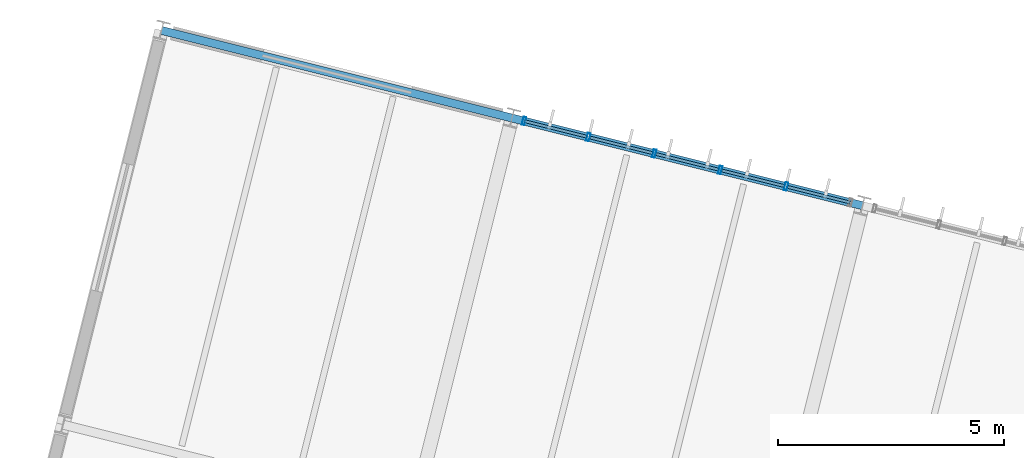
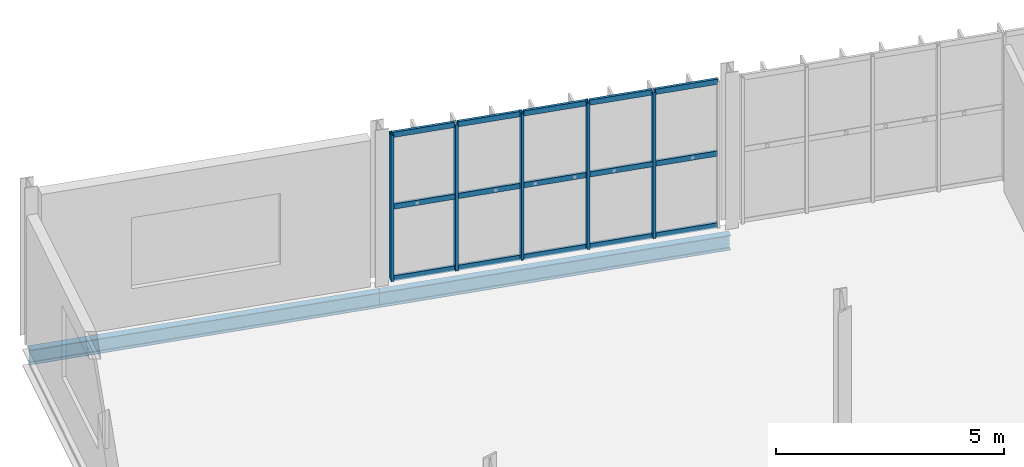
# One storey, part 29 of 61: 20 members, 2 beams, 1 element without a shape of its own.
"""IFC4 building model written with IfcOpenShell, lengths in metres."""

from ifc_helpers import new_model, si_unit, derived_unit, direction, frame, origin, origin_2d, place, context, subcontext, project, spatial, hollow_rectangle, i_section, extrude, material, material_profile, profile_set, type_object, element, aggregate, save


model = new_model("IFC4")

# Units and contexts
model_context = context("Model", 3, precision=1e-05, world=origin(), true_north=direction((0.0, 1.0)))
body_context = subcontext(model_context, "Body", "Model", "MODEL_VIEW")
ifc_project = project(units=[si_unit("LENGTHUNIT", "METRE"), si_unit("AREAUNIT", "SQUARE_METRE"), si_unit("VOLUMEUNIT", "CUBIC_METRE"), si_unit("PLANEANGLEUNIT", "RADIAN"), si_unit("MASSUNIT", "GRAM", prefix="KILO"), si_unit("THERMODYNAMICTEMPERATUREUNIT", "KELVIN"), si_unit("TIMEUNIT", "SECOND"), derived_unit("THERMALTRANSMITTANCEUNIT", [(si_unit("MASSUNIT", "GRAM", prefix="KILO"), 1), (si_unit("THERMODYNAMICTEMPERATUREUNIT", "KELVIN"), -1), (si_unit("TIMEUNIT", "SECOND"), -3)])], contexts=[model_context])

# Site, building, storey
site_placement = place(None, origin())
site = spatial("IfcSite", under=ifc_project, at=site_placement, CompositionType="ELEMENT")
building_placement = place(site_placement, origin())
building = spatial("IfcBuilding", under=site, at=building_placement, Name="Cambertide Market Hall", CompositionType="ELEMENT")
storey_placement = place(building_placement, frame((0.0, 0.0, 9.89990234375)))
storey = spatial("IfcBuildingStorey", under=building, at=storey_placement, Name="L03", CompositionType="ELEMENT", Elevation=9.89990234375)

# Curtain wall, members
ifc_material_1 = material(Name="Marine Anodized Aluminium 6063-T6 AA25", Category="aluminium")
curtain_wall_type = type_object("IfcCurtainWallType", Name="Cooking School Classroom Curtain Wall", PredefinedType="USERDEFINED", material=ifc_material_1)
curtain_wall_placement = place(storey_placement, origin())
curtain_wall = element("IfcCurtainWall", 1, at=curtain_wall_placement, inside=storey, type_object=curtain_wall_type, Name="Level 3 Curtain Wall CW-V4N-L03-2", ObjectType="UNITIZED CURTAIN WALL", PredefinedType="USERDEFINED")
ifc_material_2 = material(Name="Champagne Marine Anodized Aluminium 6063-T6 AA25", Category="aluminium")
ifc_material_profile_1 = material_profile(ifc_material_2, hollow_rectangle(XDim=0.06494140625, YDim=0.179931640625, WallThickness=0.00390625, at=origin_2d()), Name="ALU MULLION 65x180")
ifc_profile_set_1 = profile_set([ifc_material_profile_1], Name="Champagne Marine Anodized Aluminium 6063-T6 AA25")
member_type_1 = type_object("IfcMemberType", Name="Curtain Wall Mullion ALU MULLION 65x180", PredefinedType="MULLION", material=ifc_profile_set_1)
member_1_placement = place(storey_placement, frame((122.576416015625, 124.186767578125, 0.0), z_axis=(0.0, 0.0, 1.0), x_axis=(0.970142500145, -0.242535625038, 0.0)))
member_1 = element("IfcMember", 2, at=member_1_placement, type_object=member_type_1, Name="CW-V4N-L03-2 Mullion 1", PredefinedType="MULLION", context=body_context, shape_type="SweptSolid", body=[
    extrude(hollow_rectangle(XDim=0.06494140625, YDim=0.179931640625, WallThickness=0.00390625, at=origin_2d()), origin(), (0.0, 0.0, 1.0), 3.920166015625),
])
member_2_placement = place(storey_placement, frame((124.00146484375, 123.83056640625, 0.0), z_axis=(0.0, 0.0, 1.0), x_axis=(0.970142500145, -0.242535625038, 0.0)))
member_2 = element("IfcMember", 3, at=member_2_placement, type_object=member_type_1, Name="CW-V4N-L03-2 Mullion 2", PredefinedType="MULLION", context=body_context, shape_type="SweptSolid", body=[
    extrude(hollow_rectangle(XDim=0.06494140625, YDim=0.179931640625, WallThickness=0.00390625, at=origin_2d()), origin(), (0.0, 0.0, 1.0), 3.920166015625),
])
member_3_placement = place(storey_placement, frame((125.460693359375, 123.4658203125, 0.0), z_axis=(0.0, 0.0, 1.0), x_axis=(0.970142500145, -0.242535625038, 0.0)))
member_3 = element("IfcMember", 4, at=member_3_placement, type_object=member_type_1, Name="CW-V4N-L03-2 Mullion 3", PredefinedType="MULLION", context=body_context, shape_type="SweptSolid", body=[
    extrude(hollow_rectangle(XDim=0.06494140625, YDim=0.179931640625, WallThickness=0.00390625, at=origin_2d()), origin(), (0.0, 0.0, 1.0), 3.920166015625),
])
member_4_placement = place(storey_placement, frame((126.919677734375, 123.10107421875, 0.0), z_axis=(0.0, 0.0, 1.0), x_axis=(0.970142500145, -0.242535625038, 0.0)))
member_4 = element("IfcMember", 5, at=member_4_placement, type_object=member_type_1, Name="CW-V4N-L03-2 Mullion 4", PredefinedType="MULLION", context=body_context, shape_type="SweptSolid", body=[
    extrude(hollow_rectangle(XDim=0.06494140625, YDim=0.179931640625, WallThickness=0.00390625, at=origin_2d()), origin(), (0.0, 0.0, 1.0), 3.920166015625),
])
member_5_placement = place(storey_placement, frame((128.37890625, 122.736328125, 0.0), z_axis=(0.0, 0.0, 1.0), x_axis=(0.970142500145, -0.242535625038, 0.0)))
member_5 = element("IfcMember", 6, at=member_5_placement, type_object=member_type_1, Name="CW-V4N-L03-2 Mullion 5", PredefinedType="MULLION", context=body_context, shape_type="SweptSolid", body=[
    extrude(hollow_rectangle(XDim=0.06494140625, YDim=0.179931640625, WallThickness=0.00390625, at=origin_2d()), origin(), (0.0, 0.0, 1.0), 3.920166015625),
])
ifc_material_3 = material(Name="Champagne Marine Anodized Aluminium 6063-T6 AA25", Category="aluminium")
ifc_material_profile_2 = material_profile(ifc_material_3, hollow_rectangle(XDim=0.06494140625, YDim=0.139892578125, WallThickness=0.00341796875, at=origin_2d()), Name="ALU TRANSOM 65x140")
ifc_profile_set_2 = profile_set([ifc_material_profile_2], Name="Champagne Marine Anodized Aluminium 6063-T6 AA25")
member_type_2 = type_object("IfcMemberType", Name="Curtain Wall Transom ALU TRANSOM 65x140", PredefinedType="USERDEFINED", material=ifc_profile_set_2)
member_6_placement = place(storey_placement, frame((122.581298828125, 124.185546875, 0.03515625), z_axis=(0.970162669427, -0.242454933646, 0.0), x_axis=(0.242454933646, 0.970162669427, 0.0)))
member_6 = element("IfcMember", 7, at=member_6_placement, type_object=member_type_2, Name="CW-V4N-L03-2 Transom 1-1", ObjectType="TRANSOM", PredefinedType="USERDEFINED", context=body_context, shape_type="SweptSolid", body=[
    extrude(hollow_rectangle(XDim=0.06494140625, YDim=0.139892578125, WallThickness=0.00341796875, at=origin_2d()), origin(), (0.0, 0.0, 1.0), 1.423828125),
])
member_7_placement = place(storey_placement, frame((124.040283203125, 123.82080078125, 0.03515625), z_axis=(0.970172746521, -0.242414607454, 0.0), x_axis=(0.242414607454, 0.970172746521, 0.0)))
member_7 = element("IfcMember", 8, at=member_7_placement, type_object=member_type_2, Name="CW-V4N-L03-2 Transom 1-2", ObjectType="TRANSOM", PredefinedType="USERDEFINED", context=body_context, shape_type="SweptSolid", body=[
    extrude(hollow_rectangle(XDim=0.06494140625, YDim=0.139892578125, WallThickness=0.00341796875, at=origin_2d()), origin(), (0.0, 0.0, 1.0), 1.424072265625),
])
member_8_placement = place(storey_placement, frame((125.49951171875, 123.4560546875, 0.03515625), z_axis=(0.970162669427, -0.242454933646, 0.0), x_axis=(0.242454933646, 0.970162669427, 0.0)))
member_8 = element("IfcMember", 9, at=member_8_placement, type_object=member_type_2, Name="CW-V4N-L03-2 Transom 1-3", ObjectType="TRANSOM", PredefinedType="USERDEFINED", context=body_context, shape_type="SweptSolid", body=[
    extrude(hollow_rectangle(XDim=0.06494140625, YDim=0.139892578125, WallThickness=0.00341796875, at=origin_2d()), origin(), (0.0, 0.0, 1.0), 1.423828125),
])
member_9_placement = place(storey_placement, frame((126.95849609375, 123.09130859375, 0.03515625), z_axis=(0.970132415085, -0.242575961715, 0.0), x_axis=(0.242575961715, 0.970132415085, 0.0)))
member_9 = element("IfcMember", 10, at=member_9_placement, type_object=member_type_2, Name="CW-V4N-L03-2 Transom 1-4", ObjectType="TRANSOM", PredefinedType="USERDEFINED", context=body_context, shape_type="SweptSolid", body=[
    extrude(hollow_rectangle(XDim=0.06494140625, YDim=0.139892578125, WallThickness=0.00341796875, at=origin_2d()), origin(), (0.0, 0.0, 1.0), 1.424072265625),
])
member_10_placement = place(storey_placement, frame((128.417724609375, 122.7265625, 0.03515625), z_axis=(0.970122324991, -0.242616311393, 0.0), x_axis=(0.242616311393, 0.970122324991, 0.0)))
member_10 = element("IfcMember", 11, at=member_10_placement, type_object=member_type_2, Name="CW-V4N-L03-2 Transom 1-5", ObjectType="TRANSOM", PredefinedType="USERDEFINED", context=body_context, shape_type="SweptSolid", body=[
    extrude(hollow_rectangle(XDim=0.06494140625, YDim=0.139892578125, WallThickness=0.00341796875, at=origin_2d()), origin(), (0.0, 0.0, 1.0), 1.423828125),
])
member_11_placement = place(storey_placement, frame((122.581298828125, 124.185546875, 1.960205078125), z_axis=(0.970162669427, -0.242454933646, 0.0), x_axis=(0.242454933646, 0.970162669427, 0.0)))
member_11 = element("IfcMember", 12, at=member_11_placement, type_object=member_type_2, Name="CW-V4N-L03-2 Transom 2-1", ObjectType="TRANSOM", PredefinedType="USERDEFINED", context=body_context, shape_type="SweptSolid", body=[
    extrude(hollow_rectangle(XDim=0.06494140625, YDim=0.139892578125, WallThickness=0.00341796875, at=origin_2d()), origin(), (0.0, 0.0, 1.0), 1.423828125),
])
member_12_placement = place(storey_placement, frame((124.040283203125, 123.82080078125, 1.960205078125), z_axis=(0.970172746521, -0.242414607454, 0.0), x_axis=(0.242414607454, 0.970172746521, 0.0)))
member_12 = element("IfcMember", 13, at=member_12_placement, type_object=member_type_2, Name="CW-V4N-L03-2 Transom 2-2", ObjectType="TRANSOM", PredefinedType="USERDEFINED", context=body_context, shape_type="SweptSolid", body=[
    extrude(hollow_rectangle(XDim=0.06494140625, YDim=0.139892578125, WallThickness=0.00341796875, at=origin_2d()), origin(), (0.0, 0.0, 1.0), 1.424072265625),
])
member_13_placement = place(storey_placement, frame((125.49951171875, 123.4560546875, 1.960205078125), z_axis=(0.970162669427, -0.242454933646, 0.0), x_axis=(0.242454933646, 0.970162669427, 0.0)))
member_13 = element("IfcMember", 14, at=member_13_placement, type_object=member_type_2, Name="CW-V4N-L03-2 Transom 2-3", ObjectType="TRANSOM", PredefinedType="USERDEFINED", context=body_context, shape_type="SweptSolid", body=[
    extrude(hollow_rectangle(XDim=0.06494140625, YDim=0.139892578125, WallThickness=0.00341796875, at=origin_2d()), origin(), (0.0, 0.0, 1.0), 1.423828125),
])
member_14_placement = place(storey_placement, frame((126.95849609375, 123.09130859375, 1.960205078125), z_axis=(0.970132415085, -0.242575961715, 0.0), x_axis=(0.242575961715, 0.970132415085, 0.0)))
member_14 = element("IfcMember", 15, at=member_14_placement, type_object=member_type_2, Name="CW-V4N-L03-2 Transom 2-4", ObjectType="TRANSOM", PredefinedType="USERDEFINED", context=body_context, shape_type="SweptSolid", body=[
    extrude(hollow_rectangle(XDim=0.06494140625, YDim=0.139892578125, WallThickness=0.00341796875, at=origin_2d()), origin(), (0.0, 0.0, 1.0), 1.424072265625),
])
member_15_placement = place(storey_placement, frame((128.417724609375, 122.7265625, 1.960205078125), z_axis=(0.970122324991, -0.242616311393, 0.0), x_axis=(0.242616311393, 0.970122324991, 0.0)))
member_15 = element("IfcMember", 16, at=member_15_placement, type_object=member_type_2, Name="CW-V4N-L03-2 Transom 2-5", ObjectType="TRANSOM", PredefinedType="USERDEFINED", context=body_context, shape_type="SweptSolid", body=[
    extrude(hollow_rectangle(XDim=0.06494140625, YDim=0.139892578125, WallThickness=0.00341796875, at=origin_2d()), origin(), (0.0, 0.0, 1.0), 1.423828125),
])
member_16_placement = place(storey_placement, frame((122.581298828125, 124.185546875, 3.885009765625), z_axis=(0.970162669427, -0.242454933646, 0.0), x_axis=(0.242454933646, 0.970162669427, 0.0)))
member_16 = element("IfcMember", 17, at=member_16_placement, type_object=member_type_2, Name="CW-V4N-L03-2 Transom 3-1", ObjectType="TRANSOM", PredefinedType="USERDEFINED", context=body_context, shape_type="SweptSolid", body=[
    extrude(hollow_rectangle(XDim=0.06494140625, YDim=0.139892578125, WallThickness=0.00341796875, at=origin_2d()), origin(), (0.0, 0.0, 1.0), 1.423828125),
])
member_17_placement = place(storey_placement, frame((124.040283203125, 123.82080078125, 3.885009765625), z_axis=(0.970172746521, -0.242414607454, 0.0), x_axis=(0.242414607454, 0.970172746521, 0.0)))
member_17 = element("IfcMember", 18, at=member_17_placement, type_object=member_type_2, Name="CW-V4N-L03-2 Transom 3-2", ObjectType="TRANSOM", PredefinedType="USERDEFINED", context=body_context, shape_type="SweptSolid", body=[
    extrude(hollow_rectangle(XDim=0.06494140625, YDim=0.139892578125, WallThickness=0.00341796875, at=origin_2d()), origin(), (0.0, 0.0, 1.0), 1.424072265625),
])
member_18_placement = place(storey_placement, frame((125.49951171875, 123.4560546875, 3.885009765625), z_axis=(0.970162669427, -0.242454933646, 0.0), x_axis=(0.242454933646, 0.970162669427, 0.0)))
member_18 = element("IfcMember", 19, at=member_18_placement, type_object=member_type_2, Name="CW-V4N-L03-2 Transom 3-3", ObjectType="TRANSOM", PredefinedType="USERDEFINED", context=body_context, shape_type="SweptSolid", body=[
    extrude(hollow_rectangle(XDim=0.06494140625, YDim=0.139892578125, WallThickness=0.00341796875, at=origin_2d()), origin(), (0.0, 0.0, 1.0), 1.423828125),
])
member_19_placement = place(storey_placement, frame((126.95849609375, 123.09130859375, 3.885009765625), z_axis=(0.970132415085, -0.242575961715, 0.0), x_axis=(0.242575961715, 0.970132415085, 0.0)))
member_19 = element("IfcMember", 20, at=member_19_placement, type_object=member_type_2, Name="CW-V4N-L03-2 Transom 3-4", ObjectType="TRANSOM", PredefinedType="USERDEFINED", context=body_context, shape_type="SweptSolid", body=[
    extrude(hollow_rectangle(XDim=0.06494140625, YDim=0.139892578125, WallThickness=0.00341796875, at=origin_2d()), origin(), (0.0, 0.0, 1.0), 1.424072265625),
])
member_20_placement = place(storey_placement, frame((128.417724609375, 122.7265625, 3.885009765625), z_axis=(0.970122324991, -0.242616311393, 0.0), x_axis=(0.242616311393, 0.970122324991, 0.0)))
member_20 = element("IfcMember", 21, at=member_20_placement, type_object=member_type_2, Name="CW-V4N-L03-2 Transom 3-5", ObjectType="TRANSOM", PredefinedType="USERDEFINED", context=body_context, shape_type="SweptSolid", body=[
    extrude(hollow_rectangle(XDim=0.06494140625, YDim=0.139892578125, WallThickness=0.00341796875, at=origin_2d()), origin(), (0.0, 0.0, 1.0), 1.423828125),
])
aggregate(curtain_wall, [member_1, member_2, member_3, member_4, member_5, member_6, member_7, member_8, member_9, member_10, member_11, member_12, member_13, member_14, member_15, member_16, member_17, member_18, member_19, member_20])

# Beams
ifc_material_4 = material(Name="Steel S355", Category="steel")
ifc_material_profile_3 = material_profile(ifc_material_4, i_section(OverallWidth=0.179931640625, OverallDepth=0.39990234375, WebThickness=0.008544921875, FlangeThickness=0.013427734375, FilletRadius=0.02099609375, at=origin_2d()), Name="IPE 400")
ifc_profile_set_3 = profile_set([ifc_material_profile_3], Name="Steel S355")
beam_type = type_object("IfcBeamType", Name="Perimeter Spandrel Beam IPE 400", PredefinedType="SPANDREL", material=ifc_profile_set_3)
beam_1_placement = place(storey_placement, frame((114.548583984375, 126.19384765625, -0.44482421875), z_axis=(0.970144295309, -0.242528444268, 0.0), x_axis=(0.242528444268, 0.970144295309, 0.0)))
element("IfcBeam", 22, at=beam_1_placement, inside=storey, type_object=beam_type, Name="Level 3 Spandrel BM-V4U-L03-1-4", PredefinedType="SPANDREL", context=body_context, shape_type="SweptSolid", body=[
    extrude(i_section(OverallWidth=0.179931640625, OverallDepth=0.39990234375, WebThickness=0.008544921875, FlangeThickness=0.013427734375, FilletRadius=0.02099609375, at=origin_2d()), origin(), (0.0, 0.0, 1.0), 7.999755859375),
])
beam_2_placement = place(storey_placement, frame((122.3095703125, 124.253662109375, -0.44482421875), z_axis=(0.970138909791, -0.242549986002, 0.0), x_axis=(0.242549986002, 0.970138909791, 0.0)))
element("IfcBeam", 23, at=beam_2_placement, inside=storey, type_object=beam_type, Name="Level 3 Spandrel BM-V4U-L03-2-4", PredefinedType="SPANDREL", context=body_context, shape_type="SweptSolid", body=[
    extrude(i_section(OverallWidth=0.179931640625, OverallDepth=0.39990234375, WebThickness=0.008544921875, FlangeThickness=0.013427734375, FilletRadius=0.02099609375, at=origin_2d()), origin(), (0.0, 0.0, 1.0), 8.000244140625),
])

save(model, "model.ifc")
